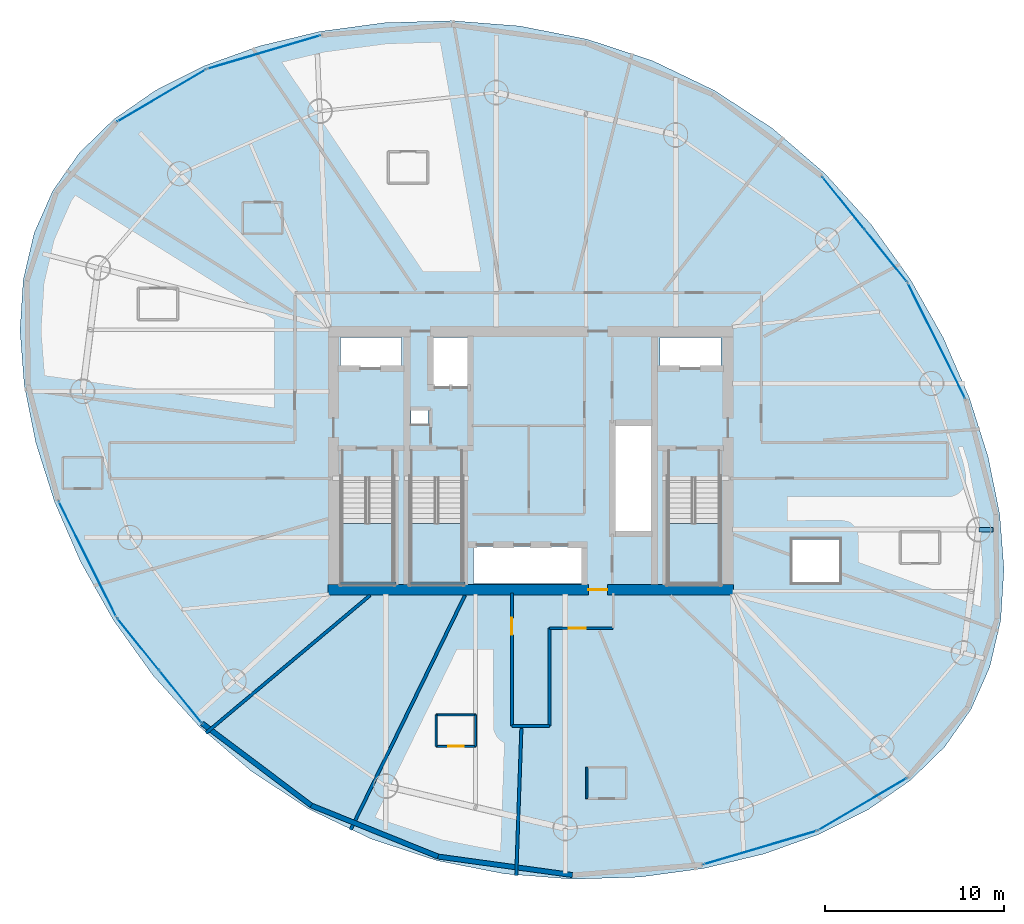
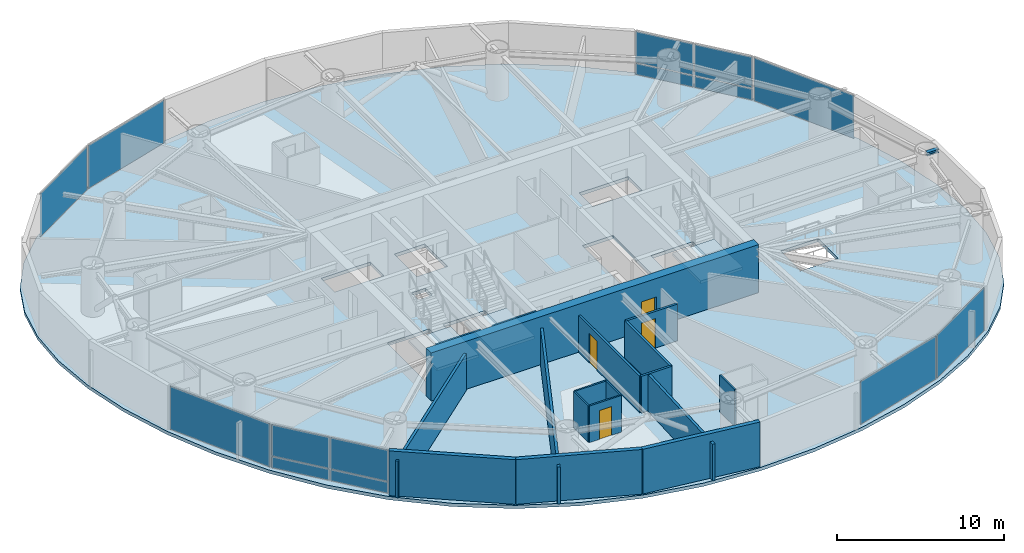
# One storey, part 17 of 24: 18 walls, 14 plates, 4 doors, 4 slabs, 1 beam, 4 openings, 11 elements without a shape of their own.
"""IFC4 building model written with IfcOpenShell, lengths in metres."""

import ifcopenshell
import ifcopenshell.guid

model = None  # the IFC model being written
_history = None  # IfcOwnerHistory: only IFC2X3 demands one
_inside = {}  # id of a spatial element -> (the spatial element, [elements in it])
_under = {}  # id of a project, library or spatial element -> (it, [spatial elements below it])
_declared = {}  # id of a project -> (the project, [libraries it declares])
_typed = {}  # id of a type object -> (the type object, [elements of that type])
_made_of = {}  # id of a material, layer set ... -> (it, [elements and type objects made of it])


def new_model(schema):
    """Start an empty IFC model of exactly this schema.

    Asked for "IFC4X3", IfcOpenShell would pick the latest addendum, in which some entities
    have other attributes; the version numbers below select the first issue.
    IFC2X3 requires an IfcOwnerHistory on every rooted entity: one is made here for all.
    """
    global model, _history
    if schema == "IFC4X3":
        model = ifcopenshell.file(schema_version=(4, 3, 0, 0))
    else:
        model = ifcopenshell.file(schema=schema)
    _inside.clear()
    _under.clear()
    _declared.clear()
    _typed.clear()
    _made_of.clear()
    _history = None
    if model.schema == "IFC2X3":
        org = make("IfcOrganization", Name="unknown")
        user = make(
            "IfcPersonAndOrganization",
            ThePerson=make("IfcPerson", FamilyName="unknown"),
            TheOrganization=org,
        )
        app = make(
            "IfcApplication",
            ApplicationDeveloper=org,
            Version="unknown",
            ApplicationFullName="unknown",
            ApplicationIdentifier="unknown",
        )
        _history = make(
            "IfcOwnerHistory",
            OwningUser=user,
            OwningApplication=app,
            ChangeAction="ADDED",
            CreationDate=0,
        )
    return model


def make(cls, **values):
    """One entity of the class cls with the attributes given. An attribute that is None is left unset."""
    return model.create_entity(
        cls, **{name: value for name, value in values.items() if value is not None}
    )


def rooted(cls, **values):
    """An entity with a GlobalId (a new one), such as an element, a storey or a relation."""
    return make(cls, GlobalId=ifcopenshell.guid.new(), OwnerHistory=_history, **values)


def si_unit(unit_type, name, prefix=None):
    """IfcSIUnit, for example si_unit("LENGTHUNIT", "METRE", prefix="MILLI")."""
    return make("IfcSIUnit", UnitType=unit_type, Prefix=prefix, Name=name)


def assignment(units):
    """IfcUnitAssignment: the units of a project."""
    return None if units is None else make("IfcUnitAssignment", Units=units)


def point(xyz):
    """IfcCartesianPoint."""
    return None if xyz is None else make("IfcCartesianPoint", Coordinates=xyz)


def direction(xyz):
    """IfcDirection."""
    return None if xyz is None else make("IfcDirection", DirectionRatios=xyz)


def frame(location, z_axis=None, x_axis=None):
    """IfcAxis2Placement3D, a coordinate frame: its origin and axes. An axis left out is left unset."""
    return make(
        "IfcAxis2Placement3D",
        Location=point(location),
        Axis=direction(z_axis),
        RefDirection=direction(x_axis),
    )


def frame_2d(location, x_axis=None):
    """IfcAxis2Placement2D, a coordinate frame in the plane: its origin and x axis."""
    return make(
        "IfcAxis2Placement2D", Location=point(location), RefDirection=direction(x_axis)
    )


def origin():
    """The frame at (0, 0, 0) with its axes left unset."""
    return frame((0.0, 0.0, 0.0))


def origin_2d():
    """The frame at (0, 0) in the plane with its x axis left unset."""
    return frame_2d((0.0, 0.0))


def place(relative_to, where):
    """IfcLocalPlacement: puts the frame where relative to a parent placement (None: the world)."""
    return make(
        "IfcLocalPlacement", PlacementRelTo=relative_to, RelativePlacement=where
    )


def context(
    kind, dimensions, precision=None, world=None, true_north=None, identifier=None
):
    """IfcGeometricRepresentationContext, for example the 3D "Model" context."""
    return make(
        "IfcGeometricRepresentationContext",
        ContextIdentifier=identifier,
        ContextType=kind,
        CoordinateSpaceDimension=dimensions,
        Precision=precision,
        WorldCoordinateSystem=world,
        TrueNorth=true_north,
    )


def subcontext(parent, identifier, kind, view, scale=None):
    """IfcGeometricRepresentationSubContext, for example "Body" below "Model"."""
    return make(
        "IfcGeometricRepresentationSubContext",
        ContextIdentifier=identifier,
        ContextType=kind,
        ParentContext=parent,
        TargetScale=scale,
        TargetView=view,
    )


def project(units=None, contexts=None):
    """IfcProject with its units and contexts."""
    return rooted(
        "IfcProject",
        Name="project",
        RepresentationContexts=contexts,
        UnitsInContext=assignment(units),
    )


def spatial(cls, under=None, at=None, **own):
    """A site, building, storey or space (cls), placed at a placement, below another one or the project."""
    s = rooted(cls, ObjectPlacement=at, **own)
    if under is not None:
        _under.setdefault(under.id(), (under, []))[1].append(s)
    return s


def polyline(points):
    """IfcPolyline through the points."""
    return make("IfcPolyline", Points=[point(p) for p in points])


def profile(cls, at=None, kind="AREA", **sizes):
    """A parametric profile (cls). Its sizes go by their IFC names, for example OverallWidth=200.0."""
    return make(cls, ProfileType=kind, Position=at, **sizes)


def rectangle(**sizes):
    """IfcRectangleProfileDef."""
    return profile("IfcRectangleProfileDef", **sizes)


def i_section(**sizes):
    """IfcIShapeProfileDef."""
    return profile("IfcIShapeProfileDef", **sizes)


def outline(outer, holes=None, kind="AREA"):
    """IfcArbitraryClosedProfileDef: a profile drawn as a closed curve; with holes, ...WithVoids."""
    if holes is None:
        return make("IfcArbitraryClosedProfileDef", ProfileType=kind, OuterCurve=outer)
    return make(
        "IfcArbitraryProfileDefWithVoids",
        ProfileType=kind,
        OuterCurve=outer,
        InnerCurves=holes,
    )


def extrude(swept, where, along, depth):
    """IfcExtrudedAreaSolid: the profile swept, set in the frame where, extruded along a direction by depth."""
    return make(
        "IfcExtrudedAreaSolid",
        SweptArea=swept,
        Position=where,
        ExtrudedDirection=direction(along),
        Depth=depth,
    )


def shape(context_of_items, identifier, shape_type, items):
    """IfcShapeRepresentation: the items that make up one representation, for example the "Body"."""
    return make(
        "IfcShapeRepresentation",
        ContextOfItems=context_of_items,
        RepresentationIdentifier=identifier,
        RepresentationType=shape_type,
        Items=items,
    )


def material(Name=None, Category=None):
    """IfcMaterial."""
    return make("IfcMaterial", Name=Name, Category=Category)


def layer(
    of_material, thickness, ventilated=None, Name=None, Category=None, Priority=None
):
    """IfcMaterialLayer: one layer of a wall or slab, of a material (None: an air gap)."""
    return make(
        "IfcMaterialLayer",
        Material=of_material,
        LayerThickness=thickness,
        IsVentilated=ventilated,
        Name=Name,
        Category=Category,
        Priority=Priority,
    )


def layer_set(layers, Name=None):
    """IfcMaterialLayerSet."""
    return make("IfcMaterialLayerSet", MaterialLayers=layers, LayerSetName=Name)


def material_profile(
    of_material, cross_section, Name=None, Category=None, Priority=None
):
    """IfcMaterialProfile: a cross section and its material."""
    return make(
        "IfcMaterialProfile",
        Name=Name,
        Material=of_material,
        Profile=cross_section,
        Priority=Priority,
        Category=Category,
    )


def profile_set(profiles, Name=None, composite=None):
    """IfcMaterialProfileSet."""
    return make(
        "IfcMaterialProfileSet",
        Name=Name,
        MaterialProfiles=profiles,
        CompositeProfile=composite,
    )


def made_of(thing, what):
    """Note that an element or type object is made of a material, layer set ...; save() writes the relation."""
    if what is not None:
        _made_of.setdefault(what.id(), (what, []))[1].append(thing)
    return thing


def type_object(cls, material=None, **own):
    """A type object (cls), such as IfcWallType, which elements share."""
    return made_of(rooted(cls, **own), material)


def element(
    cls,
    number,
    at=None,
    inside=None,
    cuts=None,
    type_object=None,
    material=None,
    context=None,
    identifier="Body",
    shape_type=None,
    held_by="IfcProductDefinitionShape",
    body=None,
    shapes=None,
    **own,
):
    """One element of the class cls, such as IfcWall. Its Tag is "e" and its number.

    at: its placement. inside: the storey or other place that contains it. cuts: it is an
    opening in that element (IfcRelVoidsElement). A single representation is given by context,
    identifier, shape_type and body (its items); several are given by shapes. held_by: the class
    of the entity that holds the representations. save() writes the other relations.
    """
    e = rooted(cls, Tag="e%d" % number, ObjectPlacement=at, **own)
    if body is not None:
        shapes = [shape(context, identifier, shape_type, body)]
    if shapes is not None:
        e.Representation = make(held_by, Representations=shapes)
    if inside is not None:
        _inside.setdefault(inside.id(), (inside, []))[1].append(e)
    if cuts is not None:
        rooted(
            "IfcRelVoidsElement", RelatingBuildingElement=cuts, RelatedOpeningElement=e
        )
    if type_object is not None:
        _typed.setdefault(type_object.id(), (type_object, []))[1].append(e)
    return made_of(e, material)


def fill(opening, filler):
    """IfcRelFillsElement: the door or window that sits in an opening."""
    return rooted(
        "IfcRelFillsElement",
        RelatingOpeningElement=opening,
        RelatedBuildingElement=filler,
    )


def aggregate(whole, parts):
    """IfcRelAggregates: a whole, such as a stair, and the parts it consists of."""
    return rooted("IfcRelAggregates", RelatingObject=whole, RelatedObjects=parts)


def save(model, path):
    """Write the relations noted so far, then the file.

    IfcRelAggregates (storeys below a building ...), IfcRelContainedInSpatialStructure (elements
    in a storey), IfcRelDefinesByType, IfcRelAssociatesMaterial and IfcRelDeclares: one each for
    every whole, place, type object, material and project.
    """
    for whole, parts in _under.values():
        aggregate(whole, parts)
    for where, things in _inside.values():
        rooted(
            "IfcRelContainedInSpatialStructure",
            RelatedElements=things,
            RelatingStructure=where,
        )
    for kind, things in _typed.values():
        rooted("IfcRelDefinesByType", RelatedObjects=things, RelatingType=kind)
    for what, things in _made_of.values():
        rooted("IfcRelAssociatesMaterial", RelatedObjects=things, RelatingMaterial=what)
    for by, libraries in _declared.values():
        rooted("IfcRelDeclares", RelatingContext=by, RelatedDefinitions=libraries)
    model.write(path)


model = new_model("IFC4")

# Units and contexts
model_context = context("Model", 3, precision=1e-05, world=origin(), true_north=direction((0.0, 1.0)))
body_context = subcontext(model_context, "Body", "Model", "MODEL_VIEW")
ifc_project = project(units=[si_unit("LENGTHUNIT", "METRE"), si_unit("AREAUNIT", "SQUARE_METRE"), si_unit("VOLUMEUNIT", "CUBIC_METRE"), si_unit("PLANEANGLEUNIT", "RADIAN"), si_unit("MASSUNIT", "GRAM", prefix="KILO")], contexts=[model_context])

# Site, building, storey
site_placement = place(None, origin())
site = spatial("IfcSite", under=ifc_project, at=site_placement, CompositionType="ELEMENT")
building_placement = place(site_placement, origin())
building = spatial("IfcBuilding", under=site, at=building_placement, Name="Bramvorn Convention Spire", CompositionType="ELEMENT")
storey_placement = place(building_placement, frame((0.0, 0.0, 148.300048828125)))
storey = spatial("IfcBuildingStorey", under=building, at=storey_placement, Name="L37", CompositionType="ELEMENT", Elevation=148.300048828125)

# Beam
ifc_material_1 = material(Name="Steel CSA G40.21 Grade 350 (350W)", Category="steel")
ifc_material_profile = material_profile(ifc_material_1, i_section(OverallWidth=0.25390625, OverallDepth=0.2529296875, WebThickness=0.008544921875, FlangeThickness=0.01416015625, FilletRadius=0.011962890625, at=origin_2d()))
ifc_profile_set = profile_set([ifc_material_profile], Name="Steel CSA G40.21 Grade 350 (350W) - W250X73")
beam_type = type_object("IfcBeamType", Name="BM-W250X73", PredefinedType="BEAM", material=ifc_profile_set)
beam_placement = place(storey_placement, frame((62.983642578125, 22.148193359375, 3.133544921875), z_axis=(1.0, 0.0, 0.0), x_axis=(0.0, 1.0, 0.0)))
element("IfcBeam", 1, at=beam_placement, inside=storey, type_object=beam_type, Name="L37 slab-edge cantilever tip beam MC02", PredefinedType="BEAM", context=body_context, shape_type="SweptSolid", body=[
    extrude(i_section(OverallWidth=0.25390625, OverallDepth=0.2529296875, WebThickness=0.008544921875, FlangeThickness=0.01416015625, FilletRadius=0.011962890625, at=origin_2d()), origin(), (0.0, 0.0, 1.0), 0.800048828125),
])

# Curtain wall, plate
ifc_material_2 = material(Name="Anodised Bronze Unitised Curtain Wall", Category="aluminium")
ifc_layer_1 = layer(ifc_material_2, 0.179931640625)
ifc_layer_set_1 = layer_set([ifc_layer_1], Name="Anodised Bronze Unitised Curtain Wall - CW-HTL-FRIT")
curtain_wall_type = type_object("IfcCurtainWallType", Name="CW-HTL-FRIT", PredefinedType="USERDEFINED", material=ifc_layer_set_1)
curtain_wall_1_placement = place(storey_placement, origin())
curtain_wall_1 = element("IfcCurtainWall", 2, at=curtain_wall_1_placement, inside=storey, type_object=curtain_wall_type, Name="L37 fritted glass curtain wall 04", ObjectType="UNITISED CURTAIN WALL", PredefinedType="USERDEFINED")
ifc_material_3 = material(Name="Laminated Low-E Glass (Triple IGU Tapered Ceramic Frit 40%)", Category="glass")
ifc_layer_2 = layer(ifc_material_3, 0.0380859375)
ifc_layer_set_2 = layer_set([ifc_layer_2], Name="Laminated Low-E Glass (Triple IGU Tapered Ceramic Frit 40%) - PNL-IGU-2")
plate_type = type_object("IfcPlateType", Name="PNL-IGU-2", PredefinedType="CURTAIN_PANEL", material=ifc_layer_set_2)
plate_1_placement = place(storey_placement, frame((60.622802734375, 32.687255859375, 0.06005859375), z_axis=(0.0, 0.0, 1.0), x_axis=(0.446571661308, -0.89474787025, 0.0)))
plate_1 = element("IfcPlate", 3, at=plate_1_placement, type_object=plate_type, Name="CW2 panel 1.1", PredefinedType="CURTAIN_PANEL", context=body_context, shape_type="SweptSolid", body=[
    extrude(rectangle(XDim=7.171875, YDim=0.028076171875, at=origin_2d()), origin(), (0.0, 0.0, 1.0), 3.139892578125),
])
aggregate(curtain_wall_1, [plate_1])

# Curtain wall, plates
curtain_wall_2_placement = place(storey_placement, origin())
curtain_wall_2 = element("IfcCurtainWall", 4, at=curtain_wall_2_placement, inside=storey, type_object=curtain_wall_type, Name="L37 fritted glass curtain wall 05", ObjectType="UNITISED CURTAIN WALL", PredefinedType="USERDEFINED")
plate_2_placement = place(storey_placement, frame((55.435302734375, 40.3525390625, 0.059814453125), z_axis=(0.0, 0.0, 1.0), x_axis=(0.628650415431, -0.777688019181, 0.0)))
plate_2 = element("IfcPlate", 5, at=plate_2_placement, type_object=plate_type, Name="CW2 panel 1.1", PredefinedType="CURTAIN_PANEL", context=body_context, shape_type="SweptSolid", body=[
    extrude(rectangle(XDim=3.694580078125, YDim=0.028076171875, at=origin_2d()), origin(), (0.0, 0.0, 1.0), 0.81005859375),
])
plate_3_placement = place(storey_placement, frame((55.435302734375, 40.3525390625, 0.929931640625), z_axis=(0.0, 0.0, 1.0), x_axis=(0.628650415431, -0.777688019181, 0.0)))
plate_3 = element("IfcPlate", 6, at=plate_3_placement, type_object=plate_type, Name="CW2 panel 1.2", PredefinedType="CURTAIN_PANEL", context=body_context, shape_type="SweptSolid", body=[
    extrude(rectangle(XDim=3.694580078125, YDim=0.028076171875, at=origin_2d()), origin(), (0.0, 0.0, 1.0), 2.27001953125),
])
plate_4_placement = place(storey_placement, frame((57.795654296875, 37.4326171875, 0.059814453125), z_axis=(0.0, 0.0, 1.0), x_axis=(0.628650415431, -0.777688019181, 0.0)))
plate_4 = element("IfcPlate", 7, at=plate_4_placement, type_object=plate_type, Name="CW2 panel 2.1", PredefinedType="CURTAIN_PANEL", context=body_context, shape_type="SweptSolid", body=[
    extrude(rectangle(XDim=3.694580078125, YDim=0.028076171875, at=origin_2d()), origin(), (0.0, 0.0, 1.0), 0.81005859375),
])
plate_5_placement = place(storey_placement, frame((57.795654296875, 37.4326171875, 0.929931640625), z_axis=(0.0, 0.0, 1.0), x_axis=(0.628650415431, -0.777688019181, 0.0)))
plate_5 = element("IfcPlate", 8, at=plate_5_placement, type_object=plate_type, Name="CW2 panel 2.2", PredefinedType="CURTAIN_PANEL", context=body_context, shape_type="SweptSolid", body=[
    extrude(rectangle(XDim=3.694580078125, YDim=0.028076171875, at=origin_2d()), origin(), (0.0, 0.0, 1.0), 2.27001953125),
])
aggregate(curtain_wall_2, [plate_2, plate_3, plate_4, plate_5])

# Curtain wall, plate
curtain_wall_3_placement = place(storey_placement, origin())
curtain_wall_3 = element("IfcCurtainWall", 9, at=curtain_wall_3_placement, inside=storey, type_object=curtain_wall_type, Name="L37 fritted glass curtain wall 10", ObjectType="UNITISED CURTAIN WALL", PredefinedType="USERDEFINED")
plate_6_placement = place(storey_placement, frame((23.12060546875, 48.77001953125, 0.06005859375), z_axis=(0.0, 0.0, 1.0), x_axis=(0.959006125015, 0.283385342219, 0.0)))
plate_6 = element("IfcPlate", 10, at=plate_6_placement, type_object=plate_type, Name="CW2 panel 1.1", PredefinedType="CURTAIN_PANEL", context=body_context, shape_type="SweptSolid", body=[
    extrude(rectangle(XDim=6.545166015625, YDim=0.028076171875, at=origin_2d()), origin(), (0.0, 0.0, 1.0), 3.139892578125),
])
aggregate(curtain_wall_3, [plate_6])

curtain_wall_4_placement = place(storey_placement, origin())
curtain_wall_4 = element("IfcCurtainWall", 11, at=curtain_wall_4_placement, inside=storey, type_object=curtain_wall_type, Name="L37 fritted glass curtain wall 11", ObjectType="UNITISED CURTAIN WALL", PredefinedType="USERDEFINED")
plate_7_placement = place(storey_placement, frame((17.416259765625, 46.34765625, 0.06005859375), z_axis=(0.0, 0.0, 1.0), x_axis=(0.8615618013, 0.507652698742, 0.0)))
plate_7 = element("IfcPlate", 12, at=plate_7_placement, type_object=plate_type, Name="CW2 panel 1.1", PredefinedType="CURTAIN_PANEL", context=body_context, shape_type="SweptSolid", body=[
    extrude(rectangle(XDim=5.70263671875, YDim=0.028076171875, at=origin_2d()), origin(), (0.0, 0.0, 1.0), 3.139892578125),
])
aggregate(curtain_wall_4, [plate_7])

curtain_wall_5_placement = place(storey_placement, origin())
curtain_wall_5 = element("IfcCurtainWall", 13, at=curtain_wall_5_placement, inside=storey, type_object=curtain_wall_type, Name="L37 fritted glass curtain wall 16", ObjectType="UNITISED CURTAIN WALL", PredefinedType="USERDEFINED")
plate_8_placement = place(storey_placement, frame((13.287353515625, 20.49267578125, 0.06005859375), z_axis=(0.0, 0.0, 1.0), x_axis=(-0.446582640343, 0.894742390492, 0.0)))
plate_8 = element("IfcPlate", 14, at=plate_8_placement, type_object=plate_type, Name="CW2 panel 1.1", PredefinedType="CURTAIN_PANEL", context=body_context, shape_type="SweptSolid", body=[
    extrude(rectangle(XDim=7.171875, YDim=0.028076171875, at=origin_2d()), origin(), (0.0, 0.0, 1.0), 3.139892578125),
])
aggregate(curtain_wall_5, [plate_8])

# Curtain wall, plates
curtain_wall_6_placement = place(storey_placement, origin())
curtain_wall_6 = element("IfcCurtainWall", 15, at=curtain_wall_6_placement, inside=storey, type_object=curtain_wall_type, Name="L37 fritted glass curtain wall 17", ObjectType="UNITISED CURTAIN WALL", PredefinedType="USERDEFINED")
plate_9_placement = place(storey_placement, frame((18.474853515625, 12.827392578125, 0.059814453125), z_axis=(0.0, 0.0, 1.0), x_axis=(-0.628642425103, 0.77769447816, 0.0)))
plate_9 = element("IfcPlate", 16, at=plate_9_placement, type_object=plate_type, Name="CW2 panel 1.1", PredefinedType="CURTAIN_PANEL", context=body_context, shape_type="SweptSolid", body=[
    extrude(rectangle(XDim=3.694580078125, YDim=0.028076171875, at=origin_2d()), origin(), (0.0, 0.0, 1.0), 0.81005859375),
])
plate_10_placement = place(storey_placement, frame((18.474853515625, 12.827392578125, 0.929931640625), z_axis=(0.0, 0.0, 1.0), x_axis=(-0.628642425103, 0.77769447816, 0.0)))
plate_10 = element("IfcPlate", 17, at=plate_10_placement, type_object=plate_type, Name="CW2 panel 1.2", PredefinedType="CURTAIN_PANEL", context=body_context, shape_type="SweptSolid", body=[
    extrude(rectangle(XDim=3.694580078125, YDim=0.028076171875, at=origin_2d()), origin(), (0.0, 0.0, 1.0), 2.27001953125),
])
plate_11_placement = place(storey_placement, frame((16.114501953125, 15.747314453125, 0.059814453125), z_axis=(0.0, 0.0, 1.0), x_axis=(-0.628642425103, 0.77769447816, 0.0)))
plate_11 = element("IfcPlate", 18, at=plate_11_placement, type_object=plate_type, Name="CW2 panel 2.1", PredefinedType="CURTAIN_PANEL", context=body_context, shape_type="SweptSolid", body=[
    extrude(rectangle(XDim=3.694580078125, YDim=0.028076171875, at=origin_2d()), origin(), (0.0, 0.0, 1.0), 0.81005859375),
])
plate_12_placement = place(storey_placement, frame((16.114501953125, 15.747314453125, 0.929931640625), z_axis=(0.0, 0.0, 1.0), x_axis=(-0.628642425103, 0.77769447816, 0.0)))
plate_12 = element("IfcPlate", 19, at=plate_12_placement, type_object=plate_type, Name="CW2 panel 2.2", PredefinedType="CURTAIN_PANEL", context=body_context, shape_type="SweptSolid", body=[
    extrude(rectangle(XDim=3.694580078125, YDim=0.028076171875, at=origin_2d()), origin(), (0.0, 0.0, 1.0), 2.27001953125),
])
aggregate(curtain_wall_6, [plate_9, plate_10, plate_11, plate_12])

# Curtain wall, plate
curtain_wall_7_placement = place(storey_placement, origin())
curtain_wall_7 = element("IfcCurtainWall", 20, at=curtain_wall_7_placement, inside=storey, type_object=curtain_wall_type, Name="L37 fritted glass curtain wall 22", ObjectType="UNITISED CURTAIN WALL", PredefinedType="USERDEFINED")
plate_13_placement = place(storey_placement, frame((50.78955078125, 4.409912109375, 0.06005859375), z_axis=(0.0, 0.0, 1.0), x_axis=(-0.959006125015, -0.283385342219, 0.0)))
plate_13 = element("IfcPlate", 21, at=plate_13_placement, type_object=plate_type, Name="CW2 panel 1.1", PredefinedType="CURTAIN_PANEL", context=body_context, shape_type="SweptSolid", body=[
    extrude(rectangle(XDim=6.545166015625, YDim=0.028076171875, at=origin_2d()), origin(), (0.0, 0.0, 1.0), 3.139892578125),
])
aggregate(curtain_wall_7, [plate_13])

curtain_wall_8_placement = place(storey_placement, origin())
curtain_wall_8 = element("IfcCurtainWall", 22, at=curtain_wall_8_placement, inside=storey, type_object=curtain_wall_type, Name="L37 fritted glass curtain wall 23", ObjectType="UNITISED CURTAIN WALL", PredefinedType="USERDEFINED")
plate_14_placement = place(storey_placement, frame((56.493896484375, 6.832275390625, 0.06005859375), z_axis=(0.0, 0.0, 1.0), x_axis=(-0.8615618013, -0.507652698742, 0.0)))
plate_14 = element("IfcPlate", 23, at=plate_14_placement, type_object=plate_type, Name="CW2 panel 1.1", PredefinedType="CURTAIN_PANEL", context=body_context, shape_type="SweptSolid", body=[
    extrude(rectangle(XDim=5.70263671875, YDim=0.028076171875, at=origin_2d()), origin(), (0.0, 0.0, 1.0), 3.139892578125),
])
aggregate(curtain_wall_8, [plate_14])

# Stair, slab
ifc_material_4 = material(Name="Concrete C40/50 Precast Stair", Category="concrete")
stair_type = type_object("IfcStairType", Name="ST-TOWER-1550", PredefinedType="HALF_TURN_STAIR", material=ifc_material_4)
stair_1_placement = place(storey_placement, origin())
stair_1 = element("IfcStair", 24, at=stair_1_placement, inside=storey, type_object=stair_type, Name="L37 Protected Exit Stair ST1", PredefinedType="HALF_TURN_STAIR")
ifc_material_5 = material(Name="Concrete C40/50 Stair Landing", Category="concrete")
ifc_layer_3 = layer(ifc_material_5, 0.219970703125)
ifc_layer_set_3 = layer_set([ifc_layer_3], Name="Concrete C40/50 Stair Landing - SLB-STAIR-LANDING")
slab_type_1 = type_object("IfcSlabType", Name="SLB-STAIR-LANDING", PredefinedType="LANDING", material=ifc_layer_set_3)
slab_1_placement = place(storey_placement, frame((0.0, 0.0, 1.550048828125)))
slab_1 = element("IfcSlab", 25, at=slab_1_placement, type_object=slab_type_1, Name="ST1 landing 1", PredefinedType="LANDING", context=body_context, shape_type="SweptSolid", body=[
    extrude(outline(polyline([(27.449951171875, 22.485107421875), (27.449951171875, 19.10009765625), (30.35009765625, 19.10009765625), (30.35009765625, 22.485107421875), (27.449951171875, 22.485107421875)])), origin(), (0.0, 0.0, 1.0), 0.199951171875),
])
aggregate(stair_1, [slab_1])

stair_2_placement = place(storey_placement, origin())
stair_2 = element("IfcStair", 26, at=stair_2_placement, inside=storey, type_object=stair_type, Name="L37 Protected Exit Stair ST2", PredefinedType="HALF_TURN_STAIR")
slab_2_placement = place(storey_placement, frame((0.0, 0.0, 1.550048828125)))
slab_2 = element("IfcSlab", 27, at=slab_2_placement, type_object=slab_type_1, Name="ST2 landing 1", PredefinedType="LANDING", context=body_context, shape_type="SweptSolid", body=[
    extrude(outline(polyline([(45.64990234375, 22.485107421875), (45.64990234375, 19.10009765625), (48.550048828125, 19.10009765625), (48.550048828125, 22.485107421875), (45.64990234375, 22.485107421875)])), origin(), (0.0, 0.0, 1.0), 0.199951171875),
])
aggregate(stair_2, [slab_2])

stair_3_placement = place(storey_placement, origin())
stair_3 = element("IfcStair", 28, at=stair_3_placement, inside=storey, type_object=stair_type, Name="L37 Protected Exit Stair ST3", PredefinedType="HALF_TURN_STAIR")
slab_3_placement = place(storey_placement, frame((0.0, 0.0, 1.550048828125)))
slab_3 = element("IfcSlab", 29, at=slab_3_placement, type_object=slab_type_1, Name="ST3 landing 1", PredefinedType="LANDING", context=body_context, shape_type="SweptSolid", body=[
    extrude(outline(polyline([(31.300048828125, 22.485107421875), (31.300048828125, 19.10009765625), (34.199951171875, 19.10009765625), (34.199951171875, 22.485107421875), (31.300048828125, 22.485107421875)])), origin(), (0.0, 0.0, 1.0), 0.199951171875),
])
aggregate(stair_3, [slab_3])

# Slab
ifc_material_6 = material(Name="Concrete C50/60", Category="concrete")
ifc_layer_4 = layer(ifc_material_6, 0.239990234375)
ifc_layer_set_4 = layer_set([ifc_layer_4], Name="Concrete C50/60 - SLB-Z2-240")
slab_type_2 = type_object("IfcSlabType", Name="SLB-Z2-240", PredefinedType="FLOOR", material=ifc_layer_set_4)
slab_4_placement = place(storey_placement, frame((0.0, 0.0, -0.239990234375)))
element("IfcSlab", 30, at=slab_4_placement, inside=storey, type_object=slab_type_2, Name="L37 tower floor slab", PredefinedType="FLOOR", context=body_context, shape_type="SweptSolid", body=[
    extrude(outline(polyline([(62.55615234375, 12.135009765625), (63.598388671875, 14.49267578125), (64.20654296875, 17.095458984375), (64.38818359375, 19.931884765625), (64.153076171875, 22.974609375), (63.509033203125, 26.179443359375), (62.462890625, 29.48388671875), (61.0205078125, 32.81005859375), (59.187744140625, 36.06787109375), (56.974853515625, 39.16357421875), (54.3974609375, 42.005859375), (51.481689453125, 44.51318359375), (48.265380859375, 46.62158203125), (44.798583984375, 48.286865234375), (41.1455078125, 49.48828125), (37.380615234375, 50.226806640625), (33.586669921875, 50.522705078125), (29.8505859375, 50.4091796875), (26.257568359375, 49.926513671875), (22.8876953125, 49.115234375), (19.810546875, 48.01123046875), (17.083740234375, 46.64111328125), (14.7490234375, 45.020263671875), (12.834228515625, 43.155029296875), (11.35400390625, 41.044921875), (10.311767578125, 38.6875), (9.70361328125, 36.08447265625), (9.521728515625, 33.248291015625), (9.757080078125, 30.205322265625), (10.401123046875, 27.00048828125), (11.447265625, 23.69580078125), (12.8896484375, 20.3701171875), (14.722412109375, 17.112060546875), (16.935302734375, 14.016357421875), (19.5126953125, 11.17431640625), (22.42822265625, 8.666748046875), (25.644775390625, 6.55859375), (29.111572265625, 4.893310546875), (32.7646484375, 3.69189453125), (36.529541015625, 2.953125), (40.323486328125, 2.6572265625), (44.0595703125, 2.770751953125), (47.652587890625, 3.253662109375), (51.0224609375, 4.064697265625), (54.099609375, 5.168701171875), (56.826416015625, 6.5390625), (59.1611328125, 8.15966796875), (61.07568359375, 10.02490234375), (62.55615234375, 12.135009765625)]), holes=[polyline([(27.449951171875, 25.050048828125), (27.449951171875, 19.10009765625), (30.35009765625, 19.10009765625), (30.35009765625, 25.050048828125), (27.449951171875, 25.050048828125)]), polyline([(45.64990234375, 25.050048828125), (45.64990234375, 19.10009765625), (48.550048828125, 19.10009765625), (48.550048828125, 25.050048828125), (45.64990234375, 25.050048828125)]), polyline([(31.300048828125, 25.050048828125), (31.300048828125, 19.10009765625), (34.199951171875, 19.10009765625), (34.199951171875, 25.050048828125), (31.300048828125, 25.050048828125)]), polyline([(27.39990234375, 31.219970703125), (30.800048828125, 31.219970703125), (30.800048828125, 32.85009765625), (27.39990234375, 32.85009765625), (27.39990234375, 31.219970703125)]), polyline([(45.199951171875, 31.219970703125), (48.60009765625, 31.219970703125), (48.60009765625, 32.85009765625), (45.199951171875, 32.85009765625), (45.199951171875, 31.219970703125)]), polyline([(32.449951171875, 30.14990234375), (34.56005859375, 30.14990234375), (34.56005859375, 32.85009765625), (32.449951171875, 32.85009765625), (32.449951171875, 30.14990234375)]), polyline([(34.800048828125, 19.14990234375), (40.97998046875, 19.14990234375), (40.97998046875, 21.199951171875), (34.800048828125, 21.199951171875), (34.800048828125, 19.14990234375)]), polyline([(42.6201171875, 22.0), (44.75, 22.0), (44.75, 28.0), (42.6201171875, 28.0), (42.6201171875, 22.0)]), polyline([(31.320068359375, 28.02001953125), (32.280029296875, 28.02001953125), (32.280029296875, 28.820068359375), (31.320068359375, 28.820068359375), (31.320068359375, 28.02001953125)]), polyline([(52.60009765625, 19.199951171875), (55.199951171875, 19.199951171875), (55.199951171875, 21.60009765625), (52.60009765625, 21.60009765625), (52.60009765625, 19.199951171875)])]), origin(), (0.0, 0.0, 1.0), 0.239990234375),
])

# Wall, opening, door
ifc_material_7 = material(Name="Concrete C60/70", Category="concrete")
ifc_layer_5 = layer(ifc_material_7, 0.60009765625)
ifc_layer_set_5 = layer_set([ifc_layer_5], Name="Concrete C60/70 - WL-CORE-600")
wall_type_1 = type_object("IfcWallType", Name="WL-CORE-600", PredefinedType="SHEAR", material=ifc_layer_set_5)
wall_1_placement = place(storey_placement, frame((26.699951171875, 18.800048828125, 0.0), z_axis=(0.0, 0.0, 1.0), x_axis=(1.0, 0.0, 0.0)))
wall_1 = element("IfcWall", 31, at=wall_1_placement, inside=storey, type_object=wall_type_1, Name="L37 South RC core shear wall", PredefinedType="SHEAR", context=body_context, shape_type="SweptSolid", body=[
    extrude(rectangle(XDim=22.60009765625, YDim=0.60009765625, at=frame_2d((11.300048828125, 0.0))), origin(), (0.0, 0.0, 1.0), 3.5),
])
opening_1_placement = place(wall_1_placement, frame((14.52001953125, 0.0, 0.0)))
opening_1 = element("IfcOpeningElement", 32, at=opening_1_placement, cuts=wall_1, Name="Opening DL-105", PredefinedType="OPENING", context=body_context, shape_type="SweptSolid", body=[
    extrude(rectangle(XDim=1.050048828125, YDim=2.14990234375, at=frame_2d((0.52490234375, 1.074951171875))), frame((0.0, 0.31005859375, 0.0), z_axis=(0.0, -1.0, 0.0), x_axis=(1.0, 0.0, 0.0)), (0.0, 0.0, 1.0), 0.6201171875),
])
ifc_material_8 = material(Name="Smoke-Sealed Fire Lobby Timber-Core Door", Category="wood")
door_type_1 = type_object("IfcDoorType", Name="DR-LOBBY-1050", OperationType="NOTDEFINED", PredefinedType="DOOR", material=ifc_material_8)
door_1_placement = place(opening_1_placement, origin())
door_1 = element("IfcDoor", 33, at=door_1_placement, inside=storey, type_object=door_type_1, Name="L37 South Lift Lobby fire door", OperationType="SINGLE_SWING_RIGHT", OverallHeight=2.14990234375, OverallWidth=1.050048828125, PredefinedType="DOOR", context=body_context, shape_type="SweptSolid", body=[
    extrude(rectangle(XDim=1.050048828125, YDim=2.14990234375, at=frame_2d((0.52490234375, 1.074951171875))), frame((0.0, 0.02490234375, 0.0), z_axis=(0.0, -1.0, 0.0), x_axis=(1.0, 0.0, 0.0)), (0.0, 0.0, 1.0), 0.050048828125),
])
fill(opening_1, door_1)

# Walls
ifc_material_9 = material(Name="Precast Concrete C40/50 with Bronze Terracotta Rainscreen", Category="masonry")
ifc_layer_6 = layer(ifc_material_9, 0.300048828125)
ifc_layer_set_6 = layer_set([ifc_layer_6], Name="Precast Concrete C40/50 with Bronze Terracotta Rainscreen - WL-EXT-BRONZE-300")
wall_type_2 = type_object("IfcWallType", Name="WL-EXT-BRONZE-300", PredefinedType="SOLIDWALL", material=ifc_layer_set_6)
for number, where, z_axis, x_axis, name in (
    (34, (25.76171875, 6.765380859375, 0.0), (0.0, 0.0, 1.0), (-0.799199320424, 0.601066091403, 0.0), "L37 expressed bronze Gothic lancet pier wall 18"),
    (35, (32.826904296875, 3.917724609375, 0.0), (0.0, 0.0, 1.0), (-0.927496504314, 0.373831826474, 0.0), "L37 expressed bronze Gothic lancet pier wall 19"),
):
    element("IfcWall", number, at=place(storey_placement, frame(where, z_axis=z_axis, x_axis=x_axis)), inside=storey, type_object=wall_type_2, Name=name, PredefinedType="SOLIDWALL", context=body_context, shape_type="SweptSolid", body=[
        extrude(rectangle(XDim=7.617431640625, YDim=0.280029296875, at=frame_2d((3.80859375, 0.0))), origin(), (0.0, 0.0, 1.0), 3.260009765625),
    ])
wall_2_placement = place(storey_placement, frame((40.3251953125, 2.8837890625, 0.0), z_axis=(0.0, 0.0, 1.0), x_axis=(-0.990626698593, 0.136597013269, 0.0)))
element("IfcWall", 36, at=wall_2_placement, inside=storey, type_object=wall_type_2, Name="L37 expressed bronze Gothic lancet pier wall 20", PredefinedType="SOLIDWALL", context=body_context, shape_type="SweptSolid", body=[
    extrude(rectangle(XDim=7.5693359375, YDim=0.280029296875, at=frame_2d((3.78466796875, 0.0))), origin(), (0.0, 0.0, 1.0), 3.260009765625),
])

# Wall, opening, door
ifc_material_10 = material(Name="Lightweight En-Suite & Wet-Wall Partition", Category="gypsum")
ifc_layer_7 = layer(ifc_material_10, 0.110107421875)
ifc_layer_set_7 = layer_set([ifc_layer_7], Name="Lightweight En-Suite & Wet-Wall Partition - WL-PART-110")
wall_type_3 = type_object("IfcWallType", Name="WL-PART-110", PredefinedType="PARTITIONING", material=ifc_layer_set_7)
wall_3_placement = place(storey_placement, frame((32.72412109375, 10.062744140625, 0.0), z_axis=(0.0, 0.0, 1.0), x_axis=(1.0, 0.0, 0.0)))
wall_3 = element("IfcWall", 37, at=wall_3_placement, inside=storey, type_object=wall_type_3, Name="Hotel Suite 3711 en-suite south wall", PredefinedType="PARTITIONING", context=body_context, shape_type="SweptSolid", body=[
    extrude(rectangle(XDim=2.199951171875, YDim=0.110107421875, at=frame_2d((1.10009765625, 0.0))), origin(), (0.0, 0.0, 1.0), 2.675048828125),
])
opening_2_placement = place(wall_3_placement, frame((0.679931640625, 0.0, 0.0)))
opening_2 = element("IfcOpeningElement", 38, at=opening_2_placement, cuts=wall_3, Name="Opening DI-085", PredefinedType="OPENING", context=body_context, shape_type="SweptSolid", body=[
    extrude(rectangle(XDim=0.85009765625, YDim=2.10009765625, at=frame_2d((0.425048828125, 1.050048828125))), frame((0.0, 0.06494140625, 0.0), z_axis=(0.0, -1.0, 0.0), x_axis=(1.0, 0.0, 0.0)), (0.0, 0.0, 1.0), 0.130126953125),
])
ifc_material_11 = material(Name="En-Suite & Restroom Privacy Door", Category="wood")
door_type_2 = type_object("IfcDoorType", Name="DR-INT-850", OperationType="NOTDEFINED", PredefinedType="DOOR", material=ifc_material_11)
door_2_placement = place(opening_2_placement, origin())
door_2 = element("IfcDoor", 39, at=door_2_placement, inside=storey, type_object=door_type_2, Name="Hotel Suite 3711 En-Suite Bathroom door", OperationType="SINGLE_SWING_LEFT", OverallHeight=2.10009765625, OverallWidth=0.85009765625, PredefinedType="DOOR", context=body_context, shape_type="SweptSolid", body=[
    extrude(rectangle(XDim=0.85009765625, YDim=2.10009765625, at=frame_2d((0.425048828125, 1.050048828125))), frame((0.0, 0.02490234375, 0.0), z_axis=(0.0, -1.0, 0.0), x_axis=(1.0, 0.0, 0.0)), (0.0, 0.0, 1.0), 0.050048828125),
])
fill(opening_2, door_2)

# Walls
wall_4_placement = place(storey_placement, frame((32.72412109375, 11.82275390625, 0.0), z_axis=(0.0, 0.0, 1.0), x_axis=(1.0, 0.0, 0.0)))
element("IfcWall", 40, at=wall_4_placement, inside=storey, type_object=wall_type_3, Name="Hotel Suite 3711 en-suite north wall", PredefinedType="PARTITIONING", context=body_context, shape_type="SweptSolid", body=[
    extrude(rectangle(XDim=2.199951171875, YDim=0.110107421875, at=frame_2d((1.10009765625, 0.0))), origin(), (0.0, 0.0, 1.0), 2.675048828125),
])
for number, where, z_axis, x_axis, name in (
    (41, (32.72412109375, 10.062744140625, 0.0), (0.0, 0.0, 1.0), (0.0, 1.0, 0.0), "Hotel Suite 3711 en-suite west wall"),
    (42, (34.924072265625, 10.062744140625, 0.0), (0.0, 0.0, 1.0), (0.0, 1.0, 0.0), "Hotel Suite 3711 en-suite east wall"),
    (43, (41.132080078125, 7.1484375, 0.0), (0.0, 0.0, 1.0), (0.0, 1.0, 0.0), "Hotel Suite 3712 en-suite west wall"),
):
    element("IfcWall", number, at=place(storey_placement, frame(where, z_axis=z_axis, x_axis=x_axis)), inside=storey, type_object=wall_type_3, Name=name, PredefinedType="PARTITIONING", context=body_context, shape_type="SweptSolid", body=[
        extrude(rectangle(XDim=1.760009765625, YDim=0.110107421875, at=frame_2d((0.8798828125, 0.0))), origin(), (0.0, 0.0, 1.0), 2.675048828125),
    ])

# Wall, opening, door
ifc_material_12 = material(Name="Acoustic Metal-Stud Tenant/Corridor Partition", Category="gypsum")
ifc_layer_8 = layer(ifc_material_12, 0.14990234375)
ifc_layer_set_8 = layer_set([ifc_layer_8], Name="Acoustic Metal-Stud Tenant/Corridor Partition - WL-PART-150")
wall_type_4 = type_object("IfcWallType", Name="WL-PART-150", PredefinedType="PARTITIONING", material=ifc_layer_set_8)
wall_5_placement = place(storey_placement, frame((36.949951171875, 11.199951171875, 0.0), z_axis=(0.0, 0.0, 1.0), x_axis=(0.0, 1.0, 0.0)))
wall_5 = element("IfcWall", 44, at=wall_5_placement, inside=storey, type_object=wall_type_4, Name="L37 South axial spine west wall", PredefinedType="PARTITIONING", context=body_context, shape_type="SweptSolid", body=[
    extrude(rectangle(XDim=7.400146484375, YDim=0.14990234375, at=frame_2d((3.7001953125, 0.0))), origin(), (0.0, 0.0, 1.0), 2.675048828125),
])
opening_3_placement = place(wall_5_placement, frame((5.074951171875, 0.0, 0.0)))
opening_3 = element("IfcOpeningElement", 45, at=opening_3_placement, cuts=wall_5, Name="Opening DH-095", PredefinedType="OPENING", context=body_context, shape_type="SweptSolid", body=[
    extrude(rectangle(XDim=0.949951171875, YDim=2.14990234375, at=frame_2d((0.47509765625, 1.074951171875))), frame((0.0, 0.0849609375, 0.0), z_axis=(0.0, -1.0, 0.0), x_axis=(1.0, 0.0, 0.0)), (0.0, 0.0, 1.0), 0.169921875),
])
ifc_material_13 = material(Name="Solid-Core Acoustic Guestroom Entry Door", Category="wood")
door_type_3 = type_object("IfcDoorType", Name="DR-HOTEL-950", OperationType="NOTDEFINED", PredefinedType="DOOR", material=ifc_material_13)
door_3_placement = place(opening_3_placement, origin())
door_3 = element("IfcDoor", 46, at=door_3_placement, inside=storey, type_object=door_type_3, Name="Hotel Suite 3711 entry door", OperationType="SINGLE_SWING_RIGHT", OverallHeight=2.14990234375, OverallWidth=0.949951171875, PredefinedType="DOOR", context=body_context, shape_type="SweptSolid", body=[
    extrude(rectangle(XDim=0.949951171875, YDim=2.14990234375, at=frame_2d((0.47509765625, 1.074951171875))), frame((0.0, 0.02490234375, 0.0), z_axis=(0.0, -1.0, 0.0), x_axis=(1.0, 0.0, 0.0)), (0.0, 0.0, 1.0), 0.050048828125),
])
fill(opening_3, door_3)

# Wall
wall_6_placement = place(storey_placement, frame((39.050048828125, 11.199951171875, 0.0), z_axis=(0.0, 0.0, 1.0), x_axis=(0.0, 1.0, 0.0)))
element("IfcWall", 47, at=wall_6_placement, inside=storey, type_object=wall_type_4, Name="L37 South axial spine east wall", PredefinedType="PARTITIONING", context=body_context, shape_type="SweptSolid", body=[
    extrude(rectangle(XDim=5.449951171875, YDim=0.14990234375, at=frame_2d((2.72509765625, 0.0))), origin(), (0.0, 0.0, 1.0), 2.675048828125),
])

# Wall, opening, door
wall_7_placement = place(storey_placement, frame((39.050048828125, 16.64990234375, 0.0), z_axis=(0.0, 0.0, 1.0), x_axis=(1.0, 0.0, 0.0)))
wall_7 = element("IfcWall", 48, at=wall_7_placement, inside=storey, type_object=wall_type_4, Name="L37 South lift lobby link wall", PredefinedType="PARTITIONING", context=body_context, shape_type="SweptSolid", body=[
    extrude(rectangle(XDim=3.550048828125, YDim=0.14990234375, at=frame_2d((1.77490234375, 0.0))), origin(), (0.0, 0.0, 1.0), 2.675048828125),
])
opening_4_placement = place(wall_7_placement, frame((1.061279296875, 0.0, 0.0)))
opening_4 = element("IfcOpeningElement", 49, at=opening_4_placement, cuts=wall_7, Name="Opening DH-095", PredefinedType="OPENING", context=body_context, shape_type="SweptSolid", body=[
    extrude(rectangle(XDim=0.949951171875, YDim=2.14990234375, at=frame_2d((0.47509765625, 1.074951171875))), frame((0.0, 0.0849609375, 0.0), z_axis=(0.0, -1.0, 0.0), x_axis=(1.0, 0.0, 0.0)), (0.0, 0.0, 1.0), 0.169921875),
])
door_4_placement = place(opening_4_placement, origin())
door_4 = element("IfcDoor", 50, at=door_4_placement, inside=storey, type_object=door_type_3, Name="Hotel Suite 3712 entry door", OperationType="SINGLE_SWING_RIGHT", OverallHeight=2.14990234375, OverallWidth=0.949951171875, PredefinedType="DOOR", context=body_context, shape_type="SweptSolid", body=[
    extrude(rectangle(XDim=0.949951171875, YDim=2.14990234375, at=frame_2d((0.47509765625, 1.074951171875))), frame((0.0, 0.02490234375, 0.0), z_axis=(0.0, -1.0, 0.0), x_axis=(1.0, 0.0, 0.0)), (0.0, 0.0, 1.0), 0.050048828125),
])
fill(opening_4, door_4)

# Walls
wall_8_placement = place(storey_placement, frame((36.949951171875, 11.199951171875, 0.0), z_axis=(0.0, 0.0, 1.0), x_axis=(1.0, 0.0, 0.0)))
element("IfcWall", 51, at=wall_8_placement, inside=storey, type_object=wall_type_4, Name="L37 South axial spine end wall", PredefinedType="PARTITIONING", context=body_context, shape_type="SweptSolid", body=[
    extrude(rectangle(XDim=2.10009765625, YDim=0.14990234375, at=frame_2d((1.050048828125, 0.0))), origin(), (0.0, 0.0, 1.0), 2.675048828125),
])
ifc_material_14 = material(Name="Double-Stud Acoustic Hotel/Suite Partition", Category="gypsum")
ifc_layer_9 = layer(ifc_material_14, 0.175048828125)
ifc_layer_set_9 = layer_set([ifc_layer_9], Name="Double-Stud Acoustic Hotel/Suite Partition - WL-PART-175")
wall_type_5 = type_object("IfcWallType", Name="WL-PART-175", PredefinedType="PARTITIONING", material=ifc_layer_set_9)
wall_9_placement = place(storey_placement, frame((29.0380859375, 18.47998046875, 0.0), z_axis=(0.0, 0.0, 1.0), x_axis=(-0.766047971117, -0.642783405159, 0.0)))
element("IfcWall", 52, at=wall_9_placement, inside=storey, type_object=wall_type_5, Name="L37 Guestroom demising wall 10", PredefinedType="PARTITIONING", context=body_context, shape_type="SweptSolid", body=[
    extrude(rectangle(XDim=11.939208984375, YDim=0.175048828125, at=frame_2d((5.9697265625, 0.0))), origin(), (0.0, 0.0, 1.0), 2.675048828125),
])
wall_10_placement = place(storey_placement, frame((34.332275390625, 18.47998046875, 0.0), z_axis=(0.0, 0.0, 1.0), x_axis=(-0.438373347789, -0.898792972797, 0.0)))
element("IfcWall", 53, at=wall_10_placement, inside=storey, type_object=wall_type_5, Name="L37 Guestroom demising wall 11", PredefinedType="PARTITIONING", context=body_context, shape_type="SweptSolid", body=[
    extrude(rectangle(XDim=14.540283203125, YDim=0.175048828125, at=frame_2d((7.27001953125, 0.0))), origin(), (0.0, 0.0, 1.0), 2.675048828125),
])
wall_11_placement = place(storey_placement, frame((37.478271484375, 11.06005859375, 0.0), z_axis=(0.0, 0.0, 1.0), x_axis=(-0.034886043298, -0.999391296732, 0.0)))
element("IfcWall", 54, at=wall_11_placement, inside=storey, type_object=wall_type_5, Name="L37 Guestroom demising wall 12", PredefinedType="PARTITIONING", context=body_context, shape_type="SweptSolid", body=[
    extrude(rectangle(XDim=8.19482421875, YDim=0.175048828125, at=frame_2d((4.097412109375, 0.0))), origin(), (0.0, 0.0, 1.0), 2.675048828125),
])
ifc_layer_10 = layer(ifc_material_6, 0.1201171875)
ifc_layer_set_10 = layer_set([ifc_layer_10], Name="Concrete C50/60 - WL-STAIR-RC-120")
wall_type_6 = type_object("IfcWallType", Name="WL-STAIR-RC-120", PredefinedType="SHEAR", material=ifc_layer_set_10)
wall_12_placement = place(storey_placement, frame((27.39501953125, 19.159912109375, 0.0), z_axis=(0.0, 0.0, 1.0), x_axis=(1.0, 0.0, 0.0)))
element("IfcWall", 55, at=wall_12_placement, inside=storey, type_object=wall_type_6, Name="L37 ST1 south bearing shear wall", PredefinedType="SHEAR", context=body_context, shape_type="SweptSolid", body=[
    extrude(rectangle(XDim=3.094970703125, YDim=0.1201171875, at=frame_2d((1.54736328125, 0.0))), origin(), (0.0, 0.0, 1.0), 3.5),
])
wall_13_placement = place(storey_placement, frame((31.300048828125, 19.159912109375, 0.0), z_axis=(0.0, 0.0, 1.0), x_axis=(1.0, 0.0, 0.0)))
element("IfcWall", 56, at=wall_13_placement, inside=storey, type_object=wall_type_6, Name="L37 ST3 south bearing shear wall", PredefinedType="SHEAR", context=body_context, shape_type="SweptSolid", body=[
    extrude(rectangle(XDim=3.0400390625, YDim=0.1201171875, at=frame_2d((1.52001953125, 0.0))), origin(), (0.0, 0.0, 1.0), 3.5),
])

save(model, "model.ifc")
